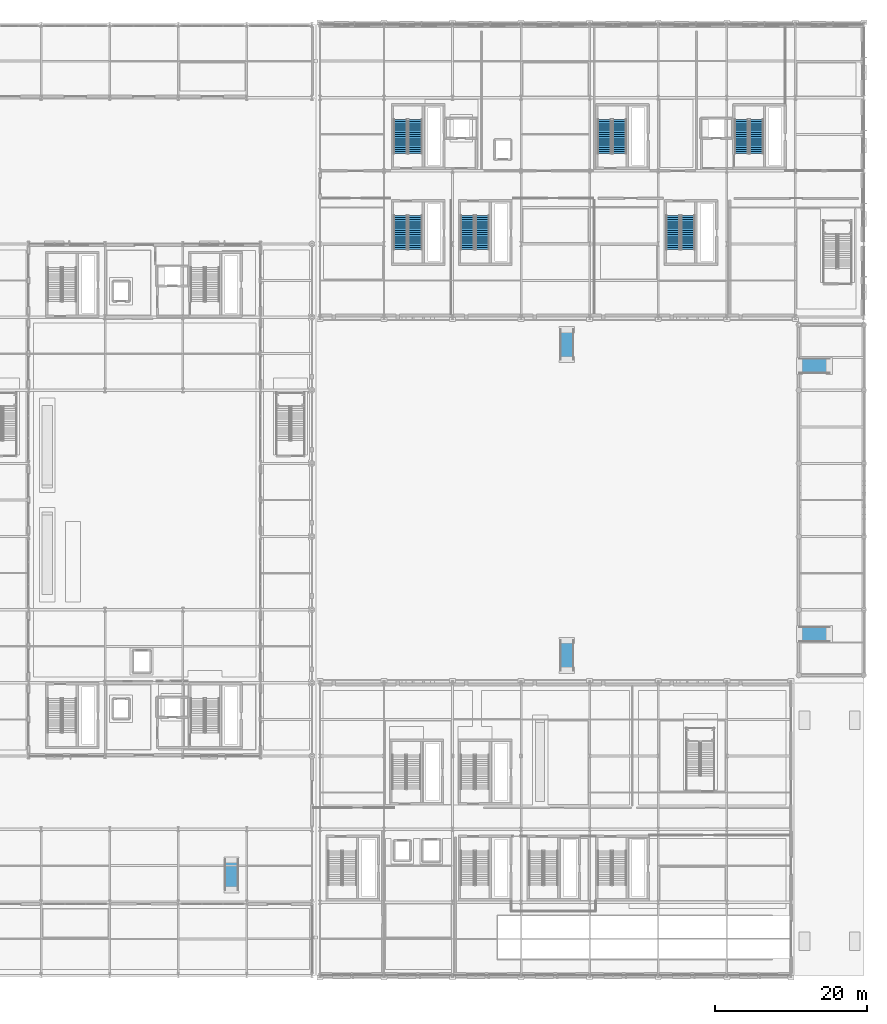
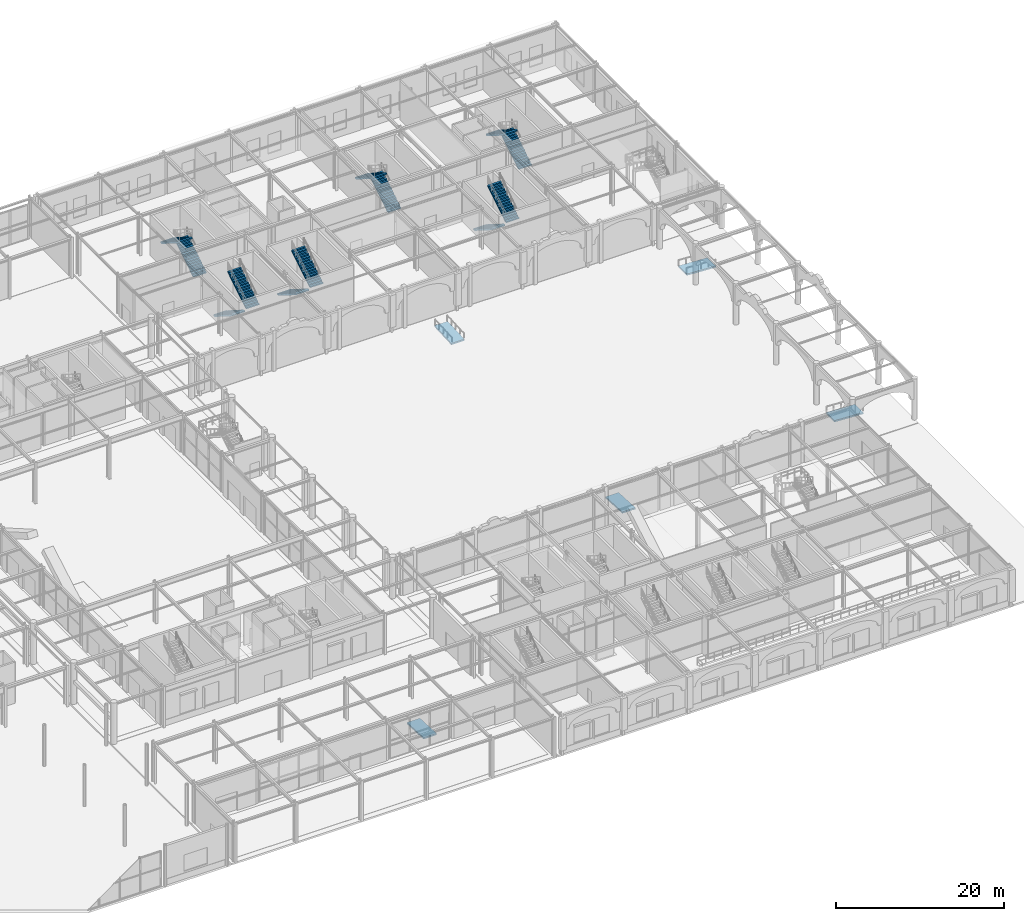
# One storey, part 72 of 113: 12 stair flights, 5 ramp flights, 11 elements without a shape of their own.
"""IFC4 building model written with IfcOpenShell, lengths in metres."""

from ifc_helpers import new_model, si_unit, direction, frame, origin, place, context, subcontext, project, spatial, polyline, outline, extrude, material, layer, layer_set, type_object, element, aggregate, save


model = new_model("IFC4")

# Units and contexts
model_context = context("Model", 3, precision=1e-05, world=origin(), true_north=direction((0.0, 1.0)))
body_context = subcontext(model_context, "Body", "Model", "MODEL_VIEW")
ifc_project = project(units=[si_unit("LENGTHUNIT", "METRE"), si_unit("AREAUNIT", "SQUARE_METRE"), si_unit("VOLUMEUNIT", "CUBIC_METRE"), si_unit("PLANEANGLEUNIT", "RADIAN"), si_unit("MASSUNIT", "GRAM", prefix="KILO")], contexts=[model_context])

# Site, building, storey
site_placement = place(None, origin())
site = spatial("IfcSite", under=ifc_project, at=site_placement, CompositionType="ELEMENT")
building_placement = place(site_placement, origin())
building = spatial("IfcBuilding", under=site, at=building_placement, Name="Myrtia Square Station", CompositionType="ELEMENT")
storey_placement = place(building_placement, origin())
storey = spatial("IfcBuildingStorey", under=building, at=storey_placement, Name="L00", CompositionType="ELEMENT", Elevation=0.0)

# Stair, stair flights
ifc_material = material(Name="Concrete C35/45", Category="concrete")
stair_type = type_object("IfcStairType", Name="STR-02-34R-1800W", PredefinedType="HALF_TURN_STAIR", material=ifc_material)
stair_1_placement = place(storey_placement, origin())
stair_1 = element("IfcStair", 1, at=stair_1_placement, inside=storey, type_object=stair_type, Name="L00 Core escape stair ST07", PredefinedType="HALF_TURN_STAIR")
stair_flight_type = type_object("IfcStairFlightType", Name="STF-02-17R-1800W", PredefinedType="STRAIGHT", material=ifc_material)
stair_flight_1_placement = place(storey_placement, frame((130.110107421875, 107.85009765625, 0.0), z_axis=(0.0, 0.0, 1.0), x_axis=(0.0, 1.0, 0.0)))
stair_flight_1 = element("IfcStairFlight", 2, at=stair_flight_1_placement, type_object=stair_flight_type, Name="ST07 flight 1", NumberOfRisers=17, NumberOfTreads=16, PredefinedType="STRAIGHT", RiserHeight=0.176470588, TreadLength=0.28, context=body_context, shape_type="SweptSolid", body=[
    extrude(outline(polyline([(0.0, 0.0), (0.0, 0.176513671875), (0.280029296875, 0.176513671875), (0.280029296875, 0.35302734375), (0.56005859375, 0.35302734375), (0.56005859375, 0.529296875), (0.840087890625, 0.529296875), (0.840087890625, 0.705810546875), (1.1201171875, 0.705810546875), (1.1201171875, 0.88232421875), (1.39990234375, 0.88232421875), (1.39990234375, 1.058837890625), (1.679931640625, 1.058837890625), (1.679931640625, 1.2353515625), (1.9599609375, 1.2353515625), (1.9599609375, 1.411865234375), (2.239990234375, 1.411865234375), (2.239990234375, 1.588134765625), (2.52001953125, 1.588134765625), (2.52001953125, 1.7646484375), (2.800048828125, 1.7646484375), (2.800048828125, 1.941162109375), (3.080078125, 1.941162109375), (3.080078125, 2.11767578125), (3.360107421875, 2.11767578125), (3.360107421875, 2.294189453125), (3.639892578125, 2.294189453125), (3.639892578125, 2.470703125), (3.919921875, 2.470703125), (3.919921875, 2.64697265625), (4.199951171875, 2.64697265625), (4.199951171875, 2.823486328125), (4.47998046875, 2.823486328125), (4.47998046875, 3.0), (4.47998046875, 2.646240234375), (0.28125, 0.0), (0.0, 0.0)])), frame((0.0, 0.89990234375, 0.0), z_axis=(0.0, -1.0, 0.0), x_axis=(1.0, 0.0, 0.0)), (0.0, 0.0, 1.0), 1.800048828125),
])
stair_flight_2_placement = place(storey_placement, frame((128.14990234375, 112.330078125, 3.0), z_axis=(0.0, 0.0, 1.0), x_axis=(0.0, -1.0, 0.0)))
stair_flight_2 = element("IfcStairFlight", 3, at=stair_flight_2_placement, type_object=stair_flight_type, Name="ST07 flight 2", NumberOfRisers=17, NumberOfTreads=16, PredefinedType="STRAIGHT", RiserHeight=0.176470588, TreadLength=0.28, context=body_context, shape_type="SweptSolid", body=[
    extrude(outline(polyline([(0.0, 0.0), (0.0, 0.176513671875), (0.280029296875, 0.176513671875), (0.280029296875, 0.35302734375), (0.56005859375, 0.35302734375), (0.56005859375, 0.529296875), (0.840087890625, 0.529296875), (0.840087890625, 0.705810546875), (1.1201171875, 0.705810546875), (1.1201171875, 0.88232421875), (1.39990234375, 0.88232421875), (1.39990234375, 1.058837890625), (1.679931640625, 1.058837890625), (1.679931640625, 1.2353515625), (1.9599609375, 1.2353515625), (1.9599609375, 1.411865234375), (2.239990234375, 1.411865234375), (2.239990234375, 1.588134765625), (2.52001953125, 1.588134765625), (2.52001953125, 1.7646484375), (2.800048828125, 1.7646484375), (2.800048828125, 1.941162109375), (3.080078125, 1.941162109375), (3.080078125, 2.11767578125), (3.360107421875, 2.11767578125), (3.360107421875, 2.294189453125), (3.639892578125, 2.294189453125), (3.639892578125, 2.470703125), (3.919921875, 2.470703125), (3.919921875, 2.64697265625), (4.199951171875, 2.64697265625), (4.199951171875, 2.823486328125), (4.47998046875, 2.823486328125), (4.47998046875, 3.0), (4.47998046875, 2.646240234375), (0.28125, 0.0), (0.0, 0.0)])), frame((0.0, 0.89990234375, 0.0), z_axis=(0.0, -1.0, 0.0), x_axis=(1.0, 0.0, 0.0)), (0.0, 0.0, 1.0), 1.800048828125),
])
aggregate(stair_1, [stair_flight_1, stair_flight_2])

stair_2_placement = place(storey_placement, origin())
stair_2 = element("IfcStair", 4, at=stair_2_placement, inside=storey, type_object=stair_type, Name="L00 Core escape stair ST08", PredefinedType="HALF_TURN_STAIR")
stair_flight_3_placement = place(storey_placement, frame((174.909912109375, 107.85009765625, 0.0), z_axis=(0.0, 0.0, 1.0), x_axis=(0.0, 1.0, 0.0)))
stair_flight_3 = element("IfcStairFlight", 5, at=stair_flight_3_placement, type_object=stair_flight_type, Name="ST08 flight 1", NumberOfRisers=17, NumberOfTreads=16, PredefinedType="STRAIGHT", RiserHeight=0.176470588, TreadLength=0.28, context=body_context, shape_type="SweptSolid", body=[
    extrude(outline(polyline([(0.0, 0.0), (0.0, 0.176513671875), (0.280029296875, 0.176513671875), (0.280029296875, 0.35302734375), (0.56005859375, 0.35302734375), (0.56005859375, 0.529296875), (0.840087890625, 0.529296875), (0.840087890625, 0.705810546875), (1.1201171875, 0.705810546875), (1.1201171875, 0.88232421875), (1.39990234375, 0.88232421875), (1.39990234375, 1.058837890625), (1.679931640625, 1.058837890625), (1.679931640625, 1.2353515625), (1.9599609375, 1.2353515625), (1.9599609375, 1.411865234375), (2.239990234375, 1.411865234375), (2.239990234375, 1.588134765625), (2.52001953125, 1.588134765625), (2.52001953125, 1.7646484375), (2.800048828125, 1.7646484375), (2.800048828125, 1.941162109375), (3.080078125, 1.941162109375), (3.080078125, 2.11767578125), (3.360107421875, 2.11767578125), (3.360107421875, 2.294189453125), (3.639892578125, 2.294189453125), (3.639892578125, 2.470703125), (3.919921875, 2.470703125), (3.919921875, 2.64697265625), (4.199951171875, 2.64697265625), (4.199951171875, 2.823486328125), (4.47998046875, 2.823486328125), (4.47998046875, 3.0), (4.47998046875, 2.646240234375), (0.28125, 0.0), (0.0, 0.0)])), frame((0.0, 0.89990234375, 0.0), z_axis=(0.0, -1.0, 0.0), x_axis=(1.0, 0.0, 0.0)), (0.0, 0.0, 1.0), 1.800048828125),
])
stair_flight_4_placement = place(storey_placement, frame((172.949951171875, 112.330078125, 3.0), z_axis=(0.0, 0.0, 1.0), x_axis=(0.0, -1.0, 0.0)))
stair_flight_4 = element("IfcStairFlight", 6, at=stair_flight_4_placement, type_object=stair_flight_type, Name="ST08 flight 2", NumberOfRisers=17, NumberOfTreads=16, PredefinedType="STRAIGHT", RiserHeight=0.176470588, TreadLength=0.28, context=body_context, shape_type="SweptSolid", body=[
    extrude(outline(polyline([(0.0, 0.0), (0.0, 0.176513671875), (0.280029296875, 0.176513671875), (0.280029296875, 0.35302734375), (0.56005859375, 0.35302734375), (0.56005859375, 0.529296875), (0.840087890625, 0.529296875), (0.840087890625, 0.705810546875), (1.1201171875, 0.705810546875), (1.1201171875, 0.88232421875), (1.39990234375, 0.88232421875), (1.39990234375, 1.058837890625), (1.679931640625, 1.058837890625), (1.679931640625, 1.2353515625), (1.9599609375, 1.2353515625), (1.9599609375, 1.411865234375), (2.239990234375, 1.411865234375), (2.239990234375, 1.588134765625), (2.52001953125, 1.588134765625), (2.52001953125, 1.7646484375), (2.800048828125, 1.7646484375), (2.800048828125, 1.941162109375), (3.080078125, 1.941162109375), (3.080078125, 2.11767578125), (3.360107421875, 2.11767578125), (3.360107421875, 2.294189453125), (3.639892578125, 2.294189453125), (3.639892578125, 2.470703125), (3.919921875, 2.470703125), (3.919921875, 2.64697265625), (4.199951171875, 2.64697265625), (4.199951171875, 2.823486328125), (4.47998046875, 2.823486328125), (4.47998046875, 3.0), (4.47998046875, 2.646240234375), (0.28125, 0.0), (0.0, 0.0)])), frame((0.0, 0.89990234375, 0.0), z_axis=(0.0, -1.0, 0.0), x_axis=(1.0, 0.0, 0.0)), (0.0, 0.0, 1.0), 1.800048828125),
])
aggregate(stair_2, [stair_flight_3, stair_flight_4])

stair_3_placement = place(storey_placement, origin())
stair_3 = element("IfcStair", 7, at=stair_3_placement, inside=storey, type_object=stair_type, Name="L00 Core escape stair ST12", PredefinedType="HALF_TURN_STAIR")
stair_flight_5_placement = place(storey_placement, frame((128.14990234375, 99.75, 0.0), z_axis=(0.0, 0.0, 1.0), x_axis=(0.0, -1.0, 0.0)))
stair_flight_5 = element("IfcStairFlight", 8, at=stair_flight_5_placement, type_object=stair_flight_type, Name="ST12 flight 1", NumberOfRisers=17, NumberOfTreads=16, PredefinedType="STRAIGHT", RiserHeight=0.176470588, TreadLength=0.28, context=body_context, shape_type="SweptSolid", body=[
    extrude(outline(polyline([(0.0, 0.0), (0.0, 0.176513671875), (0.280029296875, 0.176513671875), (0.280029296875, 0.35302734375), (0.56005859375, 0.35302734375), (0.56005859375, 0.529296875), (0.840087890625, 0.529296875), (0.840087890625, 0.705810546875), (1.1201171875, 0.705810546875), (1.1201171875, 0.88232421875), (1.39990234375, 0.88232421875), (1.39990234375, 1.058837890625), (1.679931640625, 1.058837890625), (1.679931640625, 1.2353515625), (1.9599609375, 1.2353515625), (1.9599609375, 1.411865234375), (2.239990234375, 1.411865234375), (2.239990234375, 1.588134765625), (2.52001953125, 1.588134765625), (2.52001953125, 1.7646484375), (2.800048828125, 1.7646484375), (2.800048828125, 1.941162109375), (3.080078125, 1.941162109375), (3.080078125, 2.11767578125), (3.360107421875, 2.11767578125), (3.360107421875, 2.294189453125), (3.639892578125, 2.294189453125), (3.639892578125, 2.470703125), (3.919921875, 2.470703125), (3.919921875, 2.64697265625), (4.199951171875, 2.64697265625), (4.199951171875, 2.823486328125), (4.47998046875, 2.823486328125), (4.47998046875, 3.0), (4.47998046875, 2.646240234375), (0.28125, 0.0), (0.0, 0.0)])), frame((0.0, 0.89990234375, 0.0), z_axis=(0.0, -1.0, 0.0), x_axis=(1.0, 0.0, 0.0)), (0.0, 0.0, 1.0), 1.800048828125),
])
stair_flight_6_placement = place(storey_placement, frame((130.110107421875, 95.27001953125, 3.0), z_axis=(0.0, 0.0, 1.0), x_axis=(0.0, 1.0, 0.0)))
stair_flight_6 = element("IfcStairFlight", 9, at=stair_flight_6_placement, type_object=stair_flight_type, Name="ST12 flight 2", NumberOfRisers=17, NumberOfTreads=16, PredefinedType="STRAIGHT", RiserHeight=0.176470588, TreadLength=0.28, context=body_context, shape_type="SweptSolid", body=[
    extrude(outline(polyline([(0.0, 0.0), (0.0, 0.176513671875), (0.280029296875, 0.176513671875), (0.280029296875, 0.35302734375), (0.56005859375, 0.35302734375), (0.56005859375, 0.529296875), (0.840087890625, 0.529296875), (0.840087890625, 0.705810546875), (1.1201171875, 0.705810546875), (1.1201171875, 0.88232421875), (1.39990234375, 0.88232421875), (1.39990234375, 1.058837890625), (1.679931640625, 1.058837890625), (1.679931640625, 1.2353515625), (1.9599609375, 1.2353515625), (1.9599609375, 1.411865234375), (2.239990234375, 1.411865234375), (2.239990234375, 1.588134765625), (2.52001953125, 1.588134765625), (2.52001953125, 1.7646484375), (2.800048828125, 1.7646484375), (2.800048828125, 1.941162109375), (3.080078125, 1.941162109375), (3.080078125, 2.11767578125), (3.360107421875, 2.11767578125), (3.360107421875, 2.294189453125), (3.639892578125, 2.294189453125), (3.639892578125, 2.470703125), (3.919921875, 2.470703125), (3.919921875, 2.64697265625), (4.199951171875, 2.64697265625), (4.199951171875, 2.823486328125), (4.47998046875, 2.823486328125), (4.47998046875, 3.0), (4.47998046875, 2.646240234375), (0.28125, 0.0), (0.0, 0.0)])), frame((0.0, 0.89990234375, 0.0), z_axis=(0.0, -1.0, 0.0), x_axis=(1.0, 0.0, 0.0)), (0.0, 0.0, 1.0), 1.800048828125),
])
aggregate(stair_3, [stair_flight_5, stair_flight_6])

stair_4_placement = place(storey_placement, origin())
stair_4 = element("IfcStair", 10, at=stair_4_placement, inside=storey, type_object=stair_type, Name="L00 Core escape stair ST13", PredefinedType="HALF_TURN_STAIR")
stair_flight_7_placement = place(storey_placement, frame((136.949951171875, 99.75, 0.0), z_axis=(0.0, 0.0, 1.0), x_axis=(0.0, -1.0, 0.0)))
stair_flight_7 = element("IfcStairFlight", 11, at=stair_flight_7_placement, type_object=stair_flight_type, Name="ST13 flight 1", NumberOfRisers=17, NumberOfTreads=16, PredefinedType="STRAIGHT", RiserHeight=0.176470588, TreadLength=0.28, context=body_context, shape_type="SweptSolid", body=[
    extrude(outline(polyline([(0.0, 0.0), (0.0, 0.176513671875), (0.280029296875, 0.176513671875), (0.280029296875, 0.35302734375), (0.56005859375, 0.35302734375), (0.56005859375, 0.529296875), (0.840087890625, 0.529296875), (0.840087890625, 0.705810546875), (1.1201171875, 0.705810546875), (1.1201171875, 0.88232421875), (1.39990234375, 0.88232421875), (1.39990234375, 1.058837890625), (1.679931640625, 1.058837890625), (1.679931640625, 1.2353515625), (1.9599609375, 1.2353515625), (1.9599609375, 1.411865234375), (2.239990234375, 1.411865234375), (2.239990234375, 1.588134765625), (2.52001953125, 1.588134765625), (2.52001953125, 1.7646484375), (2.800048828125, 1.7646484375), (2.800048828125, 1.941162109375), (3.080078125, 1.941162109375), (3.080078125, 2.11767578125), (3.360107421875, 2.11767578125), (3.360107421875, 2.294189453125), (3.639892578125, 2.294189453125), (3.639892578125, 2.470703125), (3.919921875, 2.470703125), (3.919921875, 2.64697265625), (4.199951171875, 2.64697265625), (4.199951171875, 2.823486328125), (4.47998046875, 2.823486328125), (4.47998046875, 3.0), (4.47998046875, 2.646240234375), (0.28125, 0.0), (0.0, 0.0)])), frame((0.0, 0.89990234375, 0.0), z_axis=(0.0, -1.0, 0.0), x_axis=(1.0, 0.0, 0.0)), (0.0, 0.0, 1.0), 1.800048828125),
])
stair_flight_8_placement = place(storey_placement, frame((138.909912109375, 95.27001953125, 3.0), z_axis=(0.0, 0.0, 1.0), x_axis=(0.0, 1.0, 0.0)))
stair_flight_8 = element("IfcStairFlight", 12, at=stair_flight_8_placement, type_object=stair_flight_type, Name="ST13 flight 2", NumberOfRisers=17, NumberOfTreads=16, PredefinedType="STRAIGHT", RiserHeight=0.176470588, TreadLength=0.28, context=body_context, shape_type="SweptSolid", body=[
    extrude(outline(polyline([(0.0, 0.0), (0.0, 0.176513671875), (0.280029296875, 0.176513671875), (0.280029296875, 0.35302734375), (0.56005859375, 0.35302734375), (0.56005859375, 0.529296875), (0.840087890625, 0.529296875), (0.840087890625, 0.705810546875), (1.1201171875, 0.705810546875), (1.1201171875, 0.88232421875), (1.39990234375, 0.88232421875), (1.39990234375, 1.058837890625), (1.679931640625, 1.058837890625), (1.679931640625, 1.2353515625), (1.9599609375, 1.2353515625), (1.9599609375, 1.411865234375), (2.239990234375, 1.411865234375), (2.239990234375, 1.588134765625), (2.52001953125, 1.588134765625), (2.52001953125, 1.7646484375), (2.800048828125, 1.7646484375), (2.800048828125, 1.941162109375), (3.080078125, 1.941162109375), (3.080078125, 2.11767578125), (3.360107421875, 2.11767578125), (3.360107421875, 2.294189453125), (3.639892578125, 2.294189453125), (3.639892578125, 2.470703125), (3.919921875, 2.470703125), (3.919921875, 2.64697265625), (4.199951171875, 2.64697265625), (4.199951171875, 2.823486328125), (4.47998046875, 2.823486328125), (4.47998046875, 3.0), (4.47998046875, 2.646240234375), (0.28125, 0.0), (0.0, 0.0)])), frame((0.0, 0.89990234375, 0.0), z_axis=(0.0, -1.0, 0.0), x_axis=(1.0, 0.0, 0.0)), (0.0, 0.0, 1.0), 1.800048828125),
])
aggregate(stair_4, [stair_flight_7, stair_flight_8])

stair_5_placement = place(storey_placement, origin())
stair_5 = element("IfcStair", 13, at=stair_5_placement, inside=storey, type_object=stair_type, Name="L00 Core escape stair ST15", PredefinedType="HALF_TURN_STAIR")
stair_flight_9_placement = place(storey_placement, frame((156.909912109375, 107.85009765625, 0.0), z_axis=(0.0, 0.0, 1.0), x_axis=(0.0, 1.0, 0.0)))
stair_flight_9 = element("IfcStairFlight", 14, at=stair_flight_9_placement, type_object=stair_flight_type, Name="ST15 flight 1", NumberOfRisers=17, NumberOfTreads=16, PredefinedType="STRAIGHT", RiserHeight=0.176470588, TreadLength=0.28, context=body_context, shape_type="SweptSolid", body=[
    extrude(outline(polyline([(0.0, 0.0), (0.0, 0.176513671875), (0.280029296875, 0.176513671875), (0.280029296875, 0.35302734375), (0.56005859375, 0.35302734375), (0.56005859375, 0.529296875), (0.840087890625, 0.529296875), (0.840087890625, 0.705810546875), (1.1201171875, 0.705810546875), (1.1201171875, 0.88232421875), (1.39990234375, 0.88232421875), (1.39990234375, 1.058837890625), (1.679931640625, 1.058837890625), (1.679931640625, 1.2353515625), (1.9599609375, 1.2353515625), (1.9599609375, 1.411865234375), (2.239990234375, 1.411865234375), (2.239990234375, 1.588134765625), (2.52001953125, 1.588134765625), (2.52001953125, 1.7646484375), (2.800048828125, 1.7646484375), (2.800048828125, 1.941162109375), (3.080078125, 1.941162109375), (3.080078125, 2.11767578125), (3.360107421875, 2.11767578125), (3.360107421875, 2.294189453125), (3.639892578125, 2.294189453125), (3.639892578125, 2.470703125), (3.919921875, 2.470703125), (3.919921875, 2.64697265625), (4.199951171875, 2.64697265625), (4.199951171875, 2.823486328125), (4.47998046875, 2.823486328125), (4.47998046875, 3.0), (4.47998046875, 2.646240234375), (0.28125, 0.0), (0.0, 0.0)])), frame((0.0, 0.89990234375, 0.0), z_axis=(0.0, -1.0, 0.0), x_axis=(1.0, 0.0, 0.0)), (0.0, 0.0, 1.0), 1.800048828125),
])
stair_flight_10_placement = place(storey_placement, frame((154.949951171875, 112.330078125, 3.0), z_axis=(0.0, 0.0, 1.0), x_axis=(0.0, -1.0, 0.0)))
stair_flight_10 = element("IfcStairFlight", 15, at=stair_flight_10_placement, type_object=stair_flight_type, Name="ST15 flight 2", NumberOfRisers=17, NumberOfTreads=16, PredefinedType="STRAIGHT", RiserHeight=0.176470588, TreadLength=0.28, context=body_context, shape_type="SweptSolid", body=[
    extrude(outline(polyline([(0.0, 0.0), (0.0, 0.176513671875), (0.280029296875, 0.176513671875), (0.280029296875, 0.35302734375), (0.56005859375, 0.35302734375), (0.56005859375, 0.529296875), (0.840087890625, 0.529296875), (0.840087890625, 0.705810546875), (1.1201171875, 0.705810546875), (1.1201171875, 0.88232421875), (1.39990234375, 0.88232421875), (1.39990234375, 1.058837890625), (1.679931640625, 1.058837890625), (1.679931640625, 1.2353515625), (1.9599609375, 1.2353515625), (1.9599609375, 1.411865234375), (2.239990234375, 1.411865234375), (2.239990234375, 1.588134765625), (2.52001953125, 1.588134765625), (2.52001953125, 1.7646484375), (2.800048828125, 1.7646484375), (2.800048828125, 1.941162109375), (3.080078125, 1.941162109375), (3.080078125, 2.11767578125), (3.360107421875, 2.11767578125), (3.360107421875, 2.294189453125), (3.639892578125, 2.294189453125), (3.639892578125, 2.470703125), (3.919921875, 2.470703125), (3.919921875, 2.64697265625), (4.199951171875, 2.64697265625), (4.199951171875, 2.823486328125), (4.47998046875, 2.823486328125), (4.47998046875, 3.0), (4.47998046875, 2.646240234375), (0.28125, 0.0), (0.0, 0.0)])), frame((0.0, 0.89990234375, 0.0), z_axis=(0.0, -1.0, 0.0), x_axis=(1.0, 0.0, 0.0)), (0.0, 0.0, 1.0), 1.800048828125),
])
aggregate(stair_5, [stair_flight_9, stair_flight_10])

stair_6_placement = place(storey_placement, origin())
stair_6 = element("IfcStair", 16, at=stair_6_placement, inside=storey, type_object=stair_type, Name="L00 Core escape stair ST16", PredefinedType="HALF_TURN_STAIR")
stair_flight_11_placement = place(storey_placement, frame((163.949951171875, 99.75, 0.0), z_axis=(0.0, 0.0, 1.0), x_axis=(0.0, -1.0, 0.0)))
stair_flight_11 = element("IfcStairFlight", 17, at=stair_flight_11_placement, type_object=stair_flight_type, Name="ST16 flight 1", NumberOfRisers=17, NumberOfTreads=16, PredefinedType="STRAIGHT", RiserHeight=0.176470588, TreadLength=0.28, context=body_context, shape_type="SweptSolid", body=[
    extrude(outline(polyline([(0.0, 0.0), (0.0, 0.176513671875), (0.280029296875, 0.176513671875), (0.280029296875, 0.35302734375), (0.56005859375, 0.35302734375), (0.56005859375, 0.529296875), (0.840087890625, 0.529296875), (0.840087890625, 0.705810546875), (1.1201171875, 0.705810546875), (1.1201171875, 0.88232421875), (1.39990234375, 0.88232421875), (1.39990234375, 1.058837890625), (1.679931640625, 1.058837890625), (1.679931640625, 1.2353515625), (1.9599609375, 1.2353515625), (1.9599609375, 1.411865234375), (2.239990234375, 1.411865234375), (2.239990234375, 1.588134765625), (2.52001953125, 1.588134765625), (2.52001953125, 1.7646484375), (2.800048828125, 1.7646484375), (2.800048828125, 1.941162109375), (3.080078125, 1.941162109375), (3.080078125, 2.11767578125), (3.360107421875, 2.11767578125), (3.360107421875, 2.294189453125), (3.639892578125, 2.294189453125), (3.639892578125, 2.470703125), (3.919921875, 2.470703125), (3.919921875, 2.64697265625), (4.199951171875, 2.64697265625), (4.199951171875, 2.823486328125), (4.47998046875, 2.823486328125), (4.47998046875, 3.0), (4.47998046875, 2.646240234375), (0.28125, 0.0), (0.0, 0.0)])), frame((0.0, 0.89990234375, 0.0), z_axis=(0.0, -1.0, 0.0), x_axis=(1.0, 0.0, 0.0)), (0.0, 0.0, 1.0), 1.800048828125),
])
stair_flight_12_placement = place(storey_placement, frame((165.909912109375, 95.27001953125, 3.0), z_axis=(0.0, 0.0, 1.0), x_axis=(0.0, 1.0, 0.0)))
stair_flight_12 = element("IfcStairFlight", 18, at=stair_flight_12_placement, type_object=stair_flight_type, Name="ST16 flight 2", NumberOfRisers=17, NumberOfTreads=16, PredefinedType="STRAIGHT", RiserHeight=0.176470588, TreadLength=0.28, context=body_context, shape_type="SweptSolid", body=[
    extrude(outline(polyline([(0.0, 0.0), (0.0, 0.176513671875), (0.280029296875, 0.176513671875), (0.280029296875, 0.35302734375), (0.56005859375, 0.35302734375), (0.56005859375, 0.529296875), (0.840087890625, 0.529296875), (0.840087890625, 0.705810546875), (1.1201171875, 0.705810546875), (1.1201171875, 0.88232421875), (1.39990234375, 0.88232421875), (1.39990234375, 1.058837890625), (1.679931640625, 1.058837890625), (1.679931640625, 1.2353515625), (1.9599609375, 1.2353515625), (1.9599609375, 1.411865234375), (2.239990234375, 1.411865234375), (2.239990234375, 1.588134765625), (2.52001953125, 1.588134765625), (2.52001953125, 1.7646484375), (2.800048828125, 1.7646484375), (2.800048828125, 1.941162109375), (3.080078125, 1.941162109375), (3.080078125, 2.11767578125), (3.360107421875, 2.11767578125), (3.360107421875, 2.294189453125), (3.639892578125, 2.294189453125), (3.639892578125, 2.470703125), (3.919921875, 2.470703125), (3.919921875, 2.64697265625), (4.199951171875, 2.64697265625), (4.199951171875, 2.823486328125), (4.47998046875, 2.823486328125), (4.47998046875, 3.0), (4.47998046875, 2.646240234375), (0.28125, 0.0), (0.0, 0.0)])), frame((0.0, 0.89990234375, 0.0), z_axis=(0.0, -1.0, 0.0), x_axis=(1.0, 0.0, 0.0)), (0.0, 0.0, 1.0), 1.800048828125),
])
aggregate(stair_6, [stair_flight_11, stair_flight_12])

# Ramp, ramp flight
ramp_type = type_object("IfcRampType", Name="RMP-PRM-1800", PredefinedType="STRAIGHT_RUN_RAMP", material=ifc_material)
ramp_1_placement = place(storey_placement, origin())
ramp_1 = element("IfcRamp", 19, at=ramp_1_placement, inside=storey, type_object=ramp_type, Name="Forecourt north accessible ramp RP1", PredefinedType="STRAIGHT_RUN_RAMP")
ifc_layer = layer(ifc_material, 0.25, Name="Concrete C35/45")
ifc_layer_set = layer_set([ifc_layer], Name="Concrete C35/45")
ramp_flight_type = type_object("IfcRampFlightType", Name="RMPF-RC-250", PredefinedType="STRAIGHT", material=ifc_layer_set)
ramp_flight_1_placement = place(storey_placement, frame((184.5, 80.0, -0.199951171875), z_axis=(0.0, 0.0, 1.0), x_axis=(-1.0, 0.0, 0.0)))
ramp_flight_1 = element("IfcRampFlight", 20, at=ramp_flight_1_placement, type_object=ramp_flight_type, Name="Forecourt north accessible ramp RP1 flight 1", PredefinedType="STRAIGHT", context=body_context, shape_type="SweptSolid", body=[
    extrude(outline(polyline([(0.0, 0.0), (4.0, 0.199951171875), (4.0, -0.02001953125), (0.0, -0.219970703125), (0.0, 0.0)])), frame((0.0, 1.0, 0.0), z_axis=(0.0, -1.0, 0.0), x_axis=(1.0, 0.0, 0.0)), (0.0, 0.0, 1.0), 2.0),
])
aggregate(ramp_1, [ramp_flight_1])

ramp_2_placement = place(storey_placement, origin())
ramp_2 = element("IfcRamp", 21, at=ramp_2_placement, inside=storey, type_object=ramp_type, Name="Forecourt south accessible ramp RP2", PredefinedType="STRAIGHT_RUN_RAMP")
ramp_flight_2_placement = place(storey_placement, frame((184.5, 44.800048828125, -0.199951171875), z_axis=(0.0, 0.0, 1.0), x_axis=(-1.0, 0.0, 0.0)))
ramp_flight_2 = element("IfcRampFlight", 22, at=ramp_flight_2_placement, type_object=ramp_flight_type, Name="Forecourt south accessible ramp RP2 flight 1", PredefinedType="STRAIGHT", context=body_context, shape_type="SweptSolid", body=[
    extrude(outline(polyline([(0.0, 0.0), (4.0, 0.199951171875), (4.0, -0.02001953125), (0.0, -0.219970703125), (0.0, 0.0)])), frame((0.0, 1.0, 0.0), z_axis=(0.0, -1.0, 0.0), x_axis=(1.0, 0.0, 0.0)), (0.0, 0.0, 1.0), 2.0),
])
aggregate(ramp_2, [ramp_flight_2])

ramp_3_placement = place(storey_placement, origin())
ramp_3 = element("IfcRamp", 23, at=ramp_3_placement, inside=storey, type_object=ramp_type, Name="Citrus patio accessible ramp RP3", PredefinedType="STRAIGHT_RUN_RAMP")
ramp_flight_3_placement = place(storey_placement, frame((106.0, 15.199951171875, -0.199951171875), z_axis=(0.0, 0.0, 1.0), x_axis=(0.0, -1.0, 0.0)))
ramp_flight_3 = element("IfcRampFlight", 24, at=ramp_flight_3_placement, type_object=ramp_flight_type, Name="Citrus patio accessible ramp RP3 flight 1", PredefinedType="STRAIGHT", context=body_context, shape_type="SweptSolid", body=[
    extrude(outline(polyline([(0.0, 0.0), (4.0, 0.199951171875), (4.0, -0.02001953125), (0.0, -0.219970703125), (0.0, 0.0)])), frame((0.0, 0.89990234375, 0.0), z_axis=(0.0, -1.0, 0.0), x_axis=(1.0, 0.0, 0.0)), (0.0, 0.0, 1.0), 1.800048828125),
])
aggregate(ramp_3, [ramp_flight_3])

ramp_4_placement = place(storey_placement, origin())
ramp_4 = element("IfcRamp", 25, at=ramp_4_placement, inside=storey, type_object=ramp_type, Name="Square north portales accessible ramp RP4", PredefinedType="STRAIGHT_RUN_RAMP")
ramp_flight_4_placement = place(storey_placement, frame((150.0, 80.800048828125, -0.199951171875), z_axis=(0.0, 0.0, 1.0), x_axis=(0.0, 1.0, 0.0)))
ramp_flight_4 = element("IfcRampFlight", 26, at=ramp_flight_4_placement, type_object=ramp_flight_type, Name="Square north portales accessible ramp RP4 flight 1", PredefinedType="STRAIGHT", context=body_context, shape_type="SweptSolid", body=[
    extrude(outline(polyline([(0.0, 0.0), (4.0, 0.199951171875), (4.0, -0.02001953125), (0.0, -0.219970703125), (0.0, 0.0)])), frame((0.0, 0.89990234375, 0.0), z_axis=(0.0, -1.0, 0.0), x_axis=(1.0, 0.0, 0.0)), (0.0, 0.0, 1.0), 1.800048828125),
])
aggregate(ramp_4, [ramp_flight_4])

ramp_5_placement = place(storey_placement, origin())
ramp_5 = element("IfcRamp", 27, at=ramp_5_placement, inside=storey, type_object=ramp_type, Name="Square south portales accessible ramp RP5", PredefinedType="STRAIGHT_RUN_RAMP")
ramp_flight_5_placement = place(storey_placement, frame((150.0, 44.0, -0.199951171875), z_axis=(0.0, 0.0, 1.0), x_axis=(0.0, -1.0, 0.0)))
ramp_flight_5 = element("IfcRampFlight", 28, at=ramp_flight_5_placement, type_object=ramp_flight_type, Name="Square south portales accessible ramp RP5 flight 1", PredefinedType="STRAIGHT", context=body_context, shape_type="SweptSolid", body=[
    extrude(outline(polyline([(0.0, 0.0), (4.0, 0.199951171875), (4.0, -0.02001953125), (0.0, -0.219970703125), (0.0, 0.0)])), frame((0.0, 0.89990234375, 0.0), z_axis=(0.0, -1.0, 0.0), x_axis=(1.0, 0.0, 0.0)), (0.0, 0.0, 1.0), 1.800048828125),
])
aggregate(ramp_5, [ramp_flight_5])

save(model, "model.ifc")
